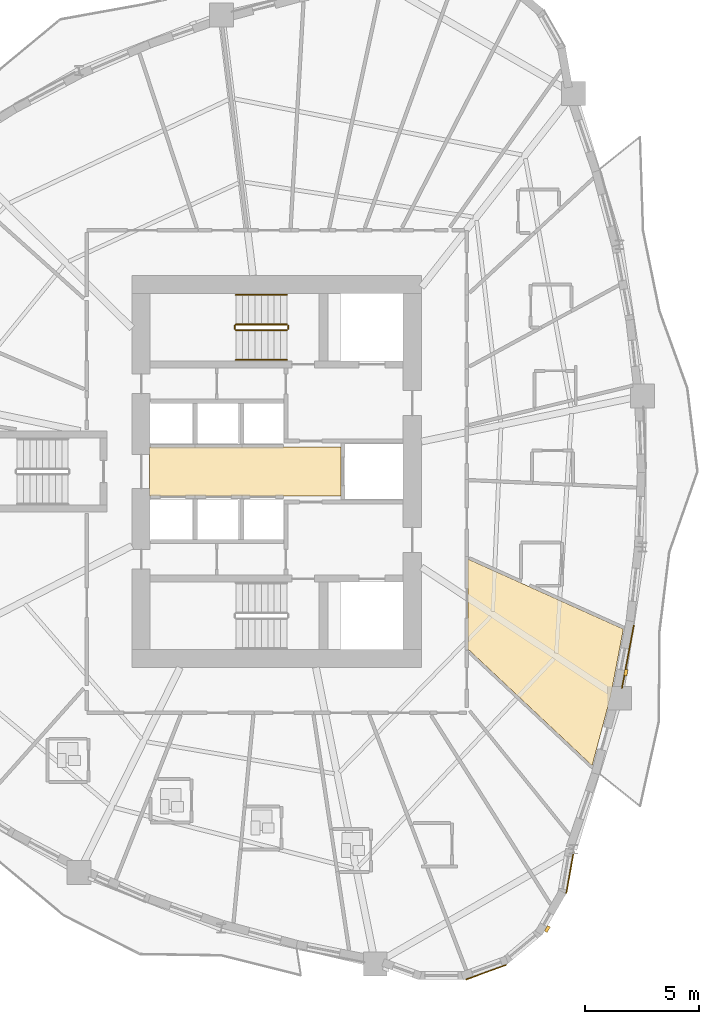
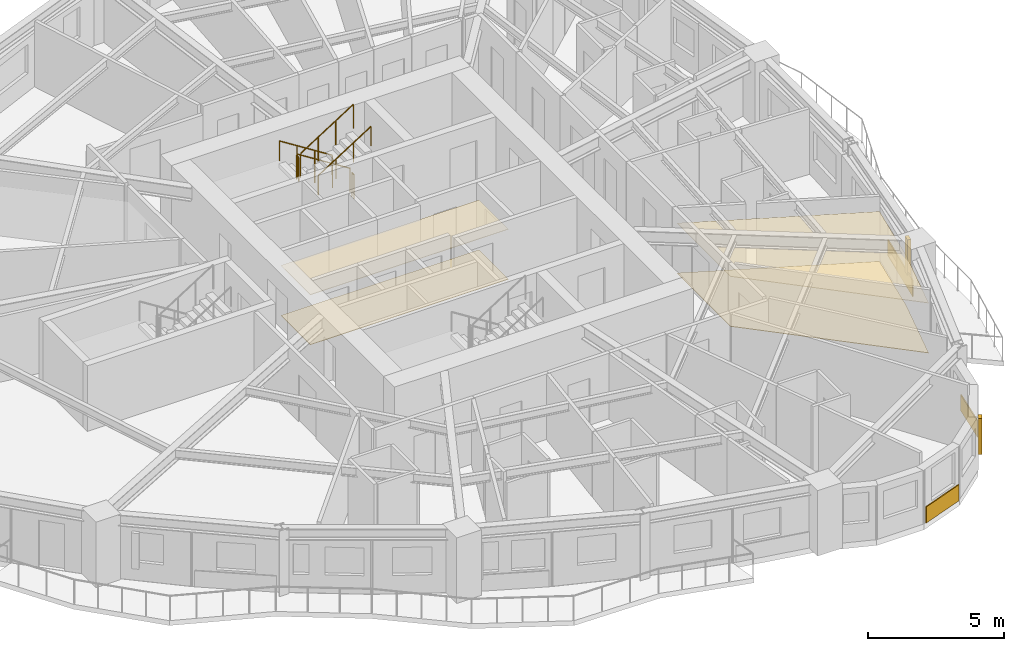
# One storey, part 12 of 14: 7 coverings, 6 railings, 2 shading devices.
"""IFC4 building model written with IfcOpenShell, lengths in metres."""

from ifc_helpers import new_model, si_unit, direction, frame, origin, origin_2d, place, context, subcontext, project, spatial, polyline, rectangle, circle, outline, extrude, source, transform, mapped, material, layer, layer_set, type_object, element, save


model = new_model("IFC4")

# Units and contexts
model_context = context("Model", 3, precision=1e-05, world=origin(), true_north=direction((0.0, 1.0)))
body_context = subcontext(model_context, "Body", "Model", "MODEL_VIEW")
ifc_project = project(units=[si_unit("LENGTHUNIT", "METRE"), si_unit("AREAUNIT", "SQUARE_METRE"), si_unit("VOLUMEUNIT", "CUBIC_METRE"), si_unit("PLANEANGLEUNIT", "RADIAN"), si_unit("MASSUNIT", "GRAM", prefix="KILO")], contexts=[model_context])

# Site, building, storey
site_placement = place(None, origin())
site = spatial("IfcSite", under=ifc_project, at=site_placement, CompositionType="ELEMENT")
building_placement = place(site_placement, origin())
building = spatial("IfcBuilding", under=site, at=building_placement, Name="Qafzar Sky-Pleat Residences", CompositionType="ELEMENT")
storey_placement = place(building_placement, frame((0.0, 0.0, 17.39990234375)))
storey = spatial("IfcBuildingStorey", under=building, at=storey_placement, Name="L04", CompositionType="ELEMENT", Elevation=17.39990234375)

# Coverings
ifc_material_1 = material(Name="Perforated acoustic gypsum board ceiling")
ifc_layer_1 = layer(ifc_material_1, 0.02001953125)
ifc_layer_set_1 = layer_set([ifc_layer_1], Name="Perforated acoustic gypsum board ceiling")
covering_type_1 = type_object("IfcCoveringType", Name="COV-CEIL-ACOUSTIC", PredefinedType="CEILING", material=ifc_layer_set_1)
covering_1_placement = place(storey_placement, frame((0.0, 0.0, 2.239990234375)))
element("IfcCovering", 1, at=covering_1_placement, inside=storey, type_object=covering_type_1, Name="L04 Passenger Lift Lobby Acoustic Ceiling", PredefinedType="CEILING", context=body_context, shape_type="SweptSolid", body=[
    extrude(outline(polyline([(33.179931640625, 24.919921875), (24.77001953125, 24.919921875), (24.77001953125, 27.080078125), (33.179931640625, 27.080078125), (33.179931640625, 24.919921875)])), origin(), (0.0, 0.0, 1.0), 0.02001953125),
])
covering_2_placement = place(storey_placement, frame((0.0, 0.0, 2.239990234375)))
element("IfcCovering", 2, at=covering_2_placement, inside=storey, type_object=covering_type_1, Name="L04 Communal Kitchen Acoustic Ceiling", PredefinedType="CEILING", context=body_context, shape_type="SweptSolid", body=[
    extrude(outline(polyline([(44.1884765625, 13.095703125), (38.739990234375, 18.208740234375), (38.739990234375, 22.15478515625), (45.5576171875, 19.083740234375), (44.998291015625, 16.140869140625), (44.1884765625, 13.095703125)])), origin(), (0.0, 0.0, 1.0), 0.02001953125),
])
ifc_material_2 = material(Name="Honed porcelain and Riyadh stone tile flooring", Category="masonry")
ifc_layer_2 = layer(ifc_material_2, 0.02001953125)
ifc_layer_set_2 = layer_set([ifc_layer_2], Name="Honed porcelain and Riyadh stone tile flooring")
covering_type_2 = type_object("IfcCoveringType", Name="COV-FLR-PORCELAIN", PredefinedType="FLOORING", material=ifc_layer_set_2)
covering_3_placement = place(storey_placement, origin())
element("IfcCovering", 3, at=covering_3_placement, inside=storey, type_object=covering_type_2, Name="L04 Passenger Lift Lobby Honed Stone Flooring", PredefinedType="FLOORING", context=body_context, shape_type="SweptSolid", body=[
    extrude(outline(polyline([(33.179931640625, 24.919921875), (24.77001953125, 24.919921875), (24.77001953125, 27.080078125), (33.179931640625, 27.080078125), (33.179931640625, 24.919921875)])), origin(), (0.0, 0.0, 1.0), 0.02001953125),
])
covering_4_placement = place(storey_placement, origin())
element("IfcCovering", 4, at=covering_4_placement, inside=storey, type_object=covering_type_2, Name="L04 Communal Kitchen Honed Stone Flooring", PredefinedType="FLOORING", context=body_context, shape_type="SweptSolid", body=[
    extrude(outline(polyline([(44.1884765625, 13.095703125), (38.739990234375, 18.208740234375), (38.739990234375, 22.15478515625), (45.5576171875, 19.083740234375), (44.998291015625, 16.140869140625), (44.1884765625, 13.095703125)])), origin(), (0.0, 0.0, 1.0), 0.02001953125),
])

# Shading devices
ifc_material_3 = material(Name="Honed Riyadh limestone solar fin", Category="masonry")
ifc_layer_3 = layer(ifc_material_3, 0.139892578125)
ifc_layer_set_3 = layer_set([ifc_layer_3], Name="Honed Riyadh limestone solar fin")
shading_device_type = type_object("IfcShadingDeviceType", Name="SHD-FIN-STONE", PredefinedType="SHUTTER", material=ifc_layer_set_3)
shared_shape_1 = source(origin(), body_context, "Body", "SweptSolid", [
    extrude(rectangle(XDim=0.139892578125, YDim=0.280029296875, at=origin_2d()), origin(), (0.0, 0.0, 1.0), 1.60009765625),
])
for number, where, z_axis, x_axis, name in (
    (5, (42.224609375, 5.924072265625, 0.60009765625), (0.0, 0.0, 1.0), (0.86603181203, -0.499988900429, 0.0), "L04 Limestone Solar Fin 21"),
    (6, (45.668701171875, 17.177978515625, 0.60009765625), (0.0, 0.0, 1.0), (0.982421191785, -0.186677802463, 0.0), "L04 Limestone Solar Fin 25"),
):
    element("IfcShadingDevice", number, at=place(storey_placement, frame(where, z_axis=z_axis, x_axis=x_axis)), inside=storey, type_object=shading_device_type, Name=name, PredefinedType="SHUTTER", context=body_context, shape_type="MappedRepresentation", body=[
        mapped(shared_shape_1, transform((0.0, 0.0, 0.0), x_axis=(1.0, 0.0, 0.0), y_axis=(0.0, 1.0, 0.0), z_axis=(0.0, 0.0, 1.0), scale=1.0)),
    ])

# Coverings
ifc_material_4 = material(Name="Honed Riyadh Tuwaiq limestone cladding", Category="masonry")
ifc_layer_4 = layer(ifc_material_4, 0.044921875)
ifc_layer_set_4 = layer_set([ifc_layer_4], Name="Honed Riyadh Tuwaiq limestone cladding")
covering_type_3 = type_object("IfcCoveringType", Name="COV-CLAD-STONE", PredefinedType="CLADDING", material=ifc_layer_set_4)
shared_shape_2 = source(origin(), body_context, "Body", "SweptSolid", [
    extrude(rectangle(XDim=1.8291015625, YDim=0.044921875, at=origin_2d()), origin(), (0.0, 0.0, 1.0), 0.719970703125),
])
covering_5_placement = place(storey_placement, frame((43.21435546875, 8.395751953125, 0.02001953125), z_axis=(0.0, 0.0, 1.0), x_axis=(0.17364778674, 0.984807821943, 0.0)))
element("IfcCovering", 7, at=covering_5_placement, inside=storey, type_object=covering_type_3, Name="L04 Riyadh Limestone Spandrel Cladding 22", PredefinedType="CLADDING", context=body_context, shape_type="MappedRepresentation", body=[
    mapped(shared_shape_2, transform((0.0, 0.0, 0.0), x_axis=(1.0, 0.0, 0.0), y_axis=(0.0, 1.0, 0.0), z_axis=(0.0, 0.0, 1.0), scale=1.0)),
])
shared_shape_3 = source(origin(), body_context, "Body", "SweptSolid", [
    extrude(rectangle(XDim=1.881103515625, YDim=0.044921875, at=origin_2d()), origin(), (0.0, 0.0, 1.0), 0.719970703125),
])
covering_6_placement = place(storey_placement, frame((39.53369140625, 4.031982421875, 0.02001953125), z_axis=(0.0, 0.0, 1.0), x_axis=(0.939715179222, 0.34195815817, 0.0)))
element("IfcCovering", 8, at=covering_6_placement, inside=storey, type_object=covering_type_3, Name="L04 Riyadh Limestone Spandrel Cladding 19", PredefinedType="CLADDING", context=body_context, shape_type="MappedRepresentation", body=[
    mapped(shared_shape_3, transform((0.0, 0.0, 0.0), x_axis=(1.0, 0.0, 0.0), y_axis=(0.0, 1.0, 0.0), z_axis=(0.0, 0.0, 1.0), scale=1.0)),
])
shared_shape_4 = source(origin(), body_context, "Body", "SweptSolid", [
    extrude(rectangle(XDim=2.802001953125, YDim=0.044921875, at=origin_2d()), origin(), (0.0, 0.0, 1.0), 0.719970703125),
])
covering_7_placement = place(storey_placement, frame((45.7568359375, 17.871826171875, 0.02001953125), z_axis=(0.0, 0.0, 1.0), x_axis=(0.186681106315, 0.982420563987, 0.0)))
element("IfcCovering", 9, at=covering_7_placement, inside=storey, type_object=covering_type_3, Name="L04 Riyadh Limestone Spandrel Cladding 25", PredefinedType="CLADDING", context=body_context, shape_type="MappedRepresentation", body=[
    mapped(shared_shape_4, transform((0.0, 0.0, 0.0), x_axis=(1.0, 0.0, 0.0), y_axis=(0.0, 1.0, 0.0), z_axis=(0.0, 0.0, 1.0), scale=1.0)),
])

# Railings
ifc_material_5 = material(Name="Painted Steel S355 stair guardrail", Category="steel")
railing_type_1 = type_object("IfcRailingType", Name="RAIL-STAIR-GUARD", PredefinedType="GUARDRAIL", material=ifc_material_5)
shared_shape_5 = source(origin(), body_context, "Body", "SweptSolid", [
    extrude(circle(Radius=0.02392578125, at=origin_2d()), frame((0.0, 0.0, 1.076171875), z_axis=(0.0, -1.0, 0.0), x_axis=(1.0, 0.0, 0.0)), (0.0, 0.0, 1.0), 0.14990234375),
    extrude(circle(Radius=0.02099609375, at=origin_2d()), origin(), (0.0, 0.0, 1.0), 1.052001953125),
    extrude(circle(Radius=0.02099609375, at=origin_2d()), frame((0.0, -0.14990234375, 0.0)), (0.0, 0.0, 1.0), 1.052001953125),
])
for number, where, name in (
    (10, (28.510009765625, 32.39990234375, 1.60009765625), "L04 ST2 stair guard 2"),
    (11, (30.85009765625, 32.39990234375, 0.0), "L04 ST2 stair guard 4"),
):
    element("IfcRailing", number, at=place(storey_placement, frame(where)), inside=storey, type_object=railing_type_1, Name=name, PredefinedType="GUARDRAIL", context=body_context, shape_type="MappedRepresentation", body=[
        mapped(shared_shape_5, transform((0.0, 0.0, 0.0), x_axis=(1.0, 0.0, 0.0), y_axis=(0.0, 1.0, 0.0), z_axis=(0.0, 0.0, 1.0), scale=1.0)),
    ])
shared_shape_6 = source(origin(), body_context, "Body", "SweptSolid", [
    extrude(circle(Radius=0.02392578125, at=origin_2d()), frame((0.0, 0.0, 1.076171875), z_axis=(-0.8442293374, 0.0, 0.53598211339), x_axis=(0.0, -1.0, 0.0)), (0.0, 0.0, 1.0), 2.6533203125),
    extrude(circle(Radius=0.02099609375, at=origin_2d()), origin(), (0.0, 0.0, 1.0), 1.052001953125),
    extrude(circle(Radius=0.02099609375, at=origin_2d()), frame((-0.74658203125, 0.0, 0.47412109375)), (0.0, 0.0, 1.0), 1.052001953125),
    extrude(circle(Radius=0.02099609375, at=origin_2d()), frame((-1.493408203125, 0.0, 0.947998046875)), (0.0, 0.0, 1.0), 1.052001953125),
    extrude(circle(Radius=0.02099609375, at=origin_2d()), frame((-2.239990234375, 0.0, 1.422119140625)), (0.0, 0.0, 1.0), 1.052001953125),
])
railing_1_placement = place(storey_placement, frame((30.800048828125, 32.449951171875, 0.177978515625)))
element("IfcRailing", 12, at=railing_1_placement, inside=storey, type_object=railing_type_1, Name="L04 ST2 stair guard 1", PredefinedType="GUARDRAIL", context=body_context, shape_type="MappedRepresentation", body=[
    mapped(shared_shape_6, transform((0.0, 0.0, 0.0), x_axis=(1.0, 0.0, 0.0), y_axis=(0.0, 1.0, 0.0), z_axis=(0.0, 0.0, 1.0), scale=1.0)),
])
ifc_material_6 = material(Name="Brushed stainless steel handrail", Category="steel")
railing_type_2 = type_object("IfcRailingType", Name="RAIL-STAIR-HAND", PredefinedType="HANDRAIL", material=ifc_material_6)
shared_shape_7 = source(origin(), body_context, "Body", "SweptSolid", [
    extrude(circle(Radius=0.02392578125, at=origin_2d()), frame((0.0, 0.0, 0.8759765625), z_axis=(-0.8442293374, 0.0, 0.53598211339), x_axis=(0.0, -1.0, 0.0)), (0.0, 0.0, 1.0), 2.6533203125),
    extrude(circle(Radius=0.02099609375, at=origin_2d()), origin(), (0.0, 0.0, 1.0), 0.851806640625),
    extrude(circle(Radius=0.02099609375, at=origin_2d()), frame((-0.74658203125, 0.0, 0.47412109375)), (0.0, 0.0, 1.0), 0.851806640625),
    extrude(circle(Radius=0.02099609375, at=origin_2d()), frame((-1.493408203125, 0.0, 0.947998046875)), (0.0, 0.0, 1.0), 0.851806640625),
    extrude(circle(Radius=0.02099609375, at=origin_2d()), frame((-2.239990234375, 0.0, 1.422119140625)), (0.0, 0.0, 1.0), 0.851806640625),
])
railing_2_placement = place(storey_placement, frame((30.800048828125, 33.75, 0.177978515625)))
element("IfcRailing", 13, at=railing_2_placement, inside=storey, type_object=railing_type_2, Name="L04 ST2 stair handrail 1", PredefinedType="HANDRAIL", context=body_context, shape_type="MappedRepresentation", body=[
    mapped(shared_shape_7, transform((0.0, 0.0, 0.0), x_axis=(1.0, 0.0, 0.0), y_axis=(0.0, 1.0, 0.0), z_axis=(0.0, 0.0, 1.0), scale=1.0)),
])
shared_shape_8 = source(origin(), body_context, "Body", "SweptSolid", [
    extrude(circle(Radius=0.02392578125, at=origin_2d()), frame((0.0, 0.0, 1.076171875), z_axis=(0.84418770128, 0.0, 0.536047689118), x_axis=(0.0, 1.0, 0.0)), (0.0, 0.0, 1.0), 2.6533203125),
    extrude(circle(Radius=0.02099609375, at=origin_2d()), origin(), (0.0, 0.0, 1.0), 1.052001953125),
    extrude(circle(Radius=0.02099609375, at=origin_2d()), frame((0.74658203125, 0.0, 0.47412109375)), (0.0, 0.0, 1.0), 1.052001953125),
    extrude(circle(Radius=0.02099609375, at=origin_2d()), frame((1.493408203125, 0.0, 0.9482421875)), (0.0, 0.0, 1.0), 1.052001953125),
    extrude(circle(Radius=0.02099609375, at=origin_2d()), frame((2.239990234375, 0.0, 1.42236328125)), (0.0, 0.0, 1.0), 1.052001953125),
])
railing_3_placement = place(storey_placement, frame((28.56005859375, 32.199951171875, 1.77783203125)))
element("IfcRailing", 14, at=railing_3_placement, inside=storey, type_object=railing_type_1, Name="L04 ST2 stair guard 3", PredefinedType="GUARDRAIL", context=body_context, shape_type="MappedRepresentation", body=[
    mapped(shared_shape_8, transform((0.0, 0.0, 0.0), x_axis=(1.0, 0.0, 0.0), y_axis=(0.0, 1.0, 0.0), z_axis=(0.0, 0.0, 1.0), scale=1.0)),
])
shared_shape_9 = source(origin(), body_context, "Body", "SweptSolid", [
    extrude(circle(Radius=0.02392578125, at=origin_2d()), frame((0.0, 0.0, 0.8759765625), z_axis=(0.84418770128, 0.0, 0.536047689118), x_axis=(0.0, 1.0, 0.0)), (0.0, 0.0, 1.0), 2.6533203125),
    extrude(circle(Radius=0.02099609375, at=origin_2d()), origin(), (0.0, 0.0, 1.0), 0.851806640625),
    extrude(circle(Radius=0.02099609375, at=origin_2d()), frame((0.74658203125, 0.0, 0.47412109375)), (0.0, 0.0, 1.0), 0.851806640625),
    extrude(circle(Radius=0.02099609375, at=origin_2d()), frame((1.493408203125, 0.0, 0.9482421875)), (0.0, 0.0, 1.0), 0.851806640625),
    extrude(circle(Radius=0.02099609375, at=origin_2d()), frame((2.239990234375, 0.0, 1.42236328125)), (0.0, 0.0, 1.0), 0.851806640625),
])
railing_4_placement = place(storey_placement, frame((28.56005859375, 30.89990234375, 1.77783203125)))
element("IfcRailing", 15, at=railing_4_placement, inside=storey, type_object=railing_type_2, Name="L04 ST2 stair handrail 2", PredefinedType="HANDRAIL", context=body_context, shape_type="MappedRepresentation", body=[
    mapped(shared_shape_9, transform((0.0, 0.0, 0.0), x_axis=(1.0, 0.0, 0.0), y_axis=(0.0, 1.0, 0.0), z_axis=(0.0, 0.0, 1.0), scale=1.0)),
])

save(model, "model.ifc")
